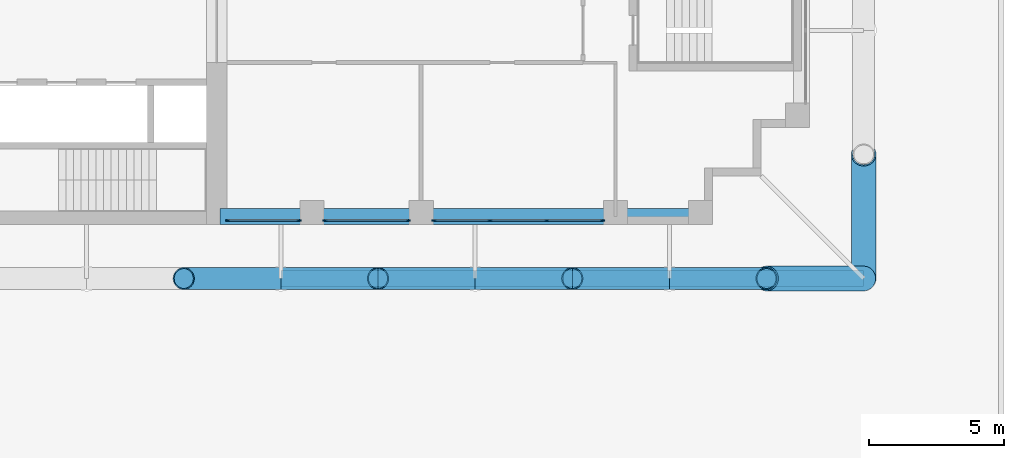
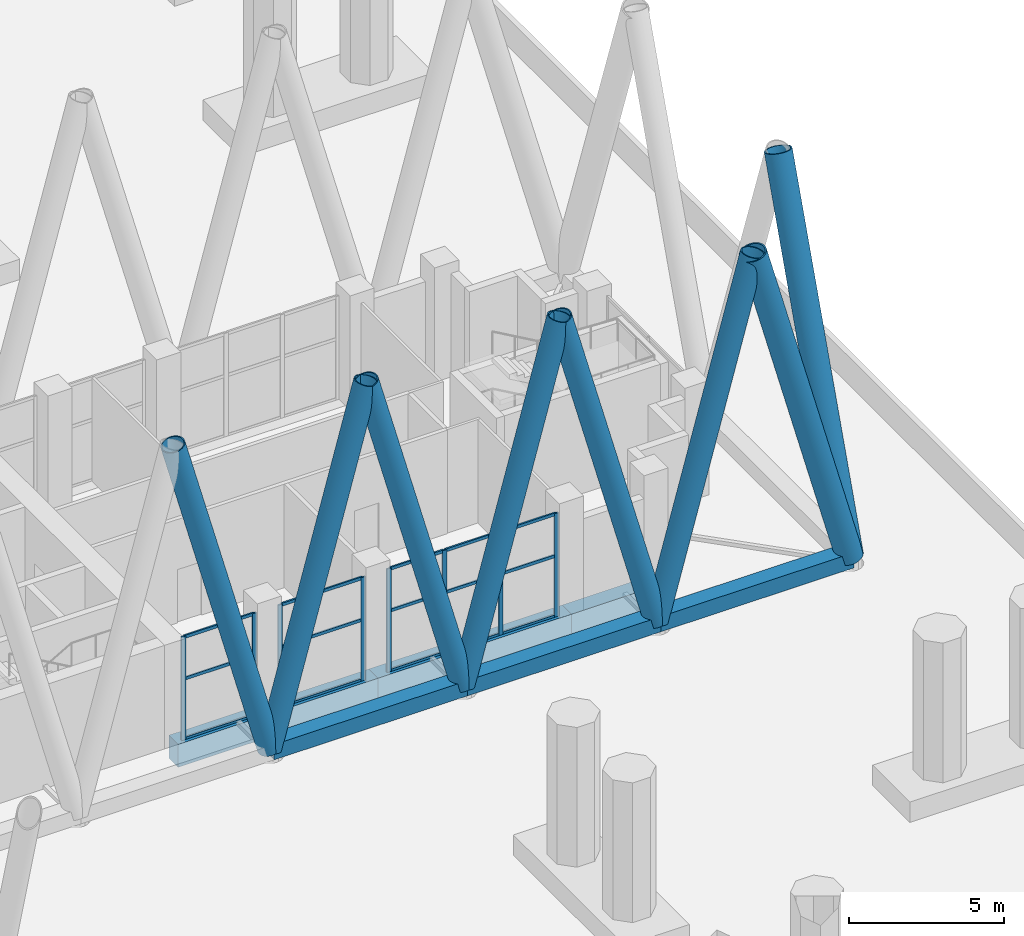
# One storey, part 8 of 31: 34 members, 4 beams, 3 elements without a shape of their own.
"""IFC4 building model written with IfcOpenShell, lengths in metres."""

from ifc_helpers import new_model, si_unit, direction, frame, origin, origin_2d, place, context, subcontext, project, spatial, rectangle, hollow_rectangle, hollow_circle, extrude, material, material_profile, profile_set, type_object, element, aggregate, save


model = new_model("IFC4")

# Units and contexts
model_context = context("Model", 3, precision=1e-05, world=origin(), true_north=direction((0.0, 1.0)))
body_context = subcontext(model_context, "Body", "Model", "MODEL_VIEW")
ifc_project = project(units=[si_unit("LENGTHUNIT", "METRE"), si_unit("AREAUNIT", "SQUARE_METRE"), si_unit("VOLUMEUNIT", "CUBIC_METRE"), si_unit("PLANEANGLEUNIT", "RADIAN"), si_unit("MASSUNIT", "GRAM", prefix="KILO")], contexts=[model_context])

# Site, building, storey
site_placement = place(None, origin())
site = spatial("IfcSite", under=ifc_project, at=site_placement, CompositionType="ELEMENT")
building_placement = place(site_placement, origin())
building = spatial("IfcBuilding", under=site, at=building_placement, Name="Fustian Cross Tower", CompositionType="ELEMENT")
storey_placement = place(building_placement, frame((0.0, 0.0, 7.199951171875)))
storey = spatial("IfcBuildingStorey", under=building, at=storey_placement, Name="L01", CompositionType="ELEMENT", Elevation=7.199951171875)

# Curtain wall, members
ifc_material_1 = material(Name="Glass", Category="glass")
curtain_wall_type = type_object("IfcCurtainWallType", Name="CW4 CURTAIN WALL", PredefinedType="NOTDEFINED", material=ifc_material_1)
curtain_wall_1_placement = place(storey_placement, origin())
curtain_wall_1 = element("IfcCurtainWall", 1, at=curtain_wall_1_placement, inside=storey, type_object=curtain_wall_type, Name="Curtain wall CW4", PredefinedType="NOTDEFINED")
ifc_material_2 = material(Name="Aluminium alloy 6063", Category="aluminium")
ifc_material_profile_1 = material_profile(ifc_material_2, rectangle(XDim=0.06005859375, YDim=0.159912109375, at=origin_2d()), Name="CW4 MULLION 60x160")
ifc_profile_set_1 = profile_set([ifc_material_profile_1], Name="Aluminium alloy 6063")
member_type_1 = type_object("IfcMemberType", Name="CW4 MULLION 60x160", PredefinedType="MULLION", material=ifc_profile_set_1)
member_1_placement = place(storey_placement, frame((21.6298828125, -7.050048828125, 0.0), z_axis=(0.0, 0.0, 1.0), x_axis=(0.0, 1.0, 0.0)))
member_1 = element("IfcMember", 2, at=member_1_placement, type_object=member_type_1, Name="CW4 mullion 1", PredefinedType="MULLION", context=body_context, shape_type="SweptSolid", body=[
    extrude(rectangle(XDim=0.06005859375, YDim=0.159912109375, at=origin_2d()), origin(), (0.0, 0.0, 1.0), 4.074951171875),
])
member_2_placement = place(storey_placement, frame((24.27001953125, -7.050048828125, 0.0), z_axis=(0.0, 0.0, 1.0), x_axis=(0.0, 1.0, 0.0)))
member_2 = element("IfcMember", 3, at=member_2_placement, type_object=member_type_1, Name="CW4 mullion 2", PredefinedType="MULLION", context=body_context, shape_type="SweptSolid", body=[
    extrude(rectangle(XDim=0.06005859375, YDim=0.159912109375, at=origin_2d()), origin(), (0.0, 0.0, 1.0), 4.074951171875),
])

curtain_wall_2_placement = place(storey_placement, origin())
curtain_wall_2 = element("IfcCurtainWall", 4, at=curtain_wall_2_placement, inside=storey, type_object=curtain_wall_type, Name="Curtain wall CW4", PredefinedType="NOTDEFINED")
member_3_placement = place(storey_placement, frame((25.22998046875, -7.050048828125, 0.0), z_axis=(0.0, 0.0, 1.0), x_axis=(0.0, 1.0, 0.0)))
member_3 = element("IfcMember", 5, at=member_3_placement, type_object=member_type_1, Name="CW4 mullion 1", PredefinedType="MULLION", context=body_context, shape_type="SweptSolid", body=[
    extrude(rectangle(XDim=0.06005859375, YDim=0.159912109375, at=origin_2d()), origin(), (0.0, 0.0, 1.0), 4.074951171875),
])
member_4_placement = place(storey_placement, frame((28.320068359375, -7.050048828125, 0.0), z_axis=(0.0, 0.0, 1.0), x_axis=(0.0, 1.0, 0.0)))
member_4 = element("IfcMember", 6, at=member_4_placement, type_object=member_type_1, Name="CW4 mullion 2", PredefinedType="MULLION", context=body_context, shape_type="SweptSolid", body=[
    extrude(rectangle(XDim=0.06005859375, YDim=0.159912109375, at=origin_2d()), origin(), (0.0, 0.0, 1.0), 4.074951171875),
])

curtain_wall_3_placement = place(storey_placement, origin())
curtain_wall_3 = element("IfcCurtainWall", 7, at=curtain_wall_3_placement, inside=storey, type_object=curtain_wall_type, Name="Curtain wall CW4", PredefinedType="NOTDEFINED")
member_5_placement = place(storey_placement, frame((29.280029296875, -7.050048828125, 0.0), z_axis=(0.0, 0.0, 1.0), x_axis=(0.0, 1.0, 0.0)))
member_5 = element("IfcMember", 8, at=member_5_placement, type_object=member_type_1, Name="CW4 mullion 1", PredefinedType="MULLION", context=body_context, shape_type="SweptSolid", body=[
    extrude(rectangle(XDim=0.06005859375, YDim=0.159912109375, at=origin_2d()), origin(), (0.0, 0.0, 1.0), 4.074951171875),
])
member_6_placement = place(storey_placement, frame((31.35009765625, -7.050048828125, 0.0), z_axis=(0.0, 0.0, 1.0), x_axis=(0.0, 1.0, 0.0)))
member_6 = element("IfcMember", 9, at=member_6_placement, type_object=member_type_1, Name="CW4 mullion 2", PredefinedType="MULLION", context=body_context, shape_type="SweptSolid", body=[
    extrude(rectangle(XDim=0.06005859375, YDim=0.159912109375, at=origin_2d()), origin(), (0.0, 0.0, 1.0), 4.074951171875),
])
member_7_placement = place(storey_placement, frame((33.449951171875, -7.050048828125, 0.0), z_axis=(0.0, 0.0, 1.0), x_axis=(0.0, 1.0, 0.0)))
member_7 = element("IfcMember", 10, at=member_7_placement, type_object=member_type_1, Name="CW4 mullion 3", PredefinedType="MULLION", context=body_context, shape_type="SweptSolid", body=[
    extrude(rectangle(XDim=0.06005859375, YDim=0.159912109375, at=origin_2d()), origin(), (0.0, 0.0, 1.0), 4.074951171875),
])
member_8_placement = place(storey_placement, frame((35.52001953125, -7.050048828125, 0.0), z_axis=(0.0, 0.0, 1.0), x_axis=(0.0, 1.0, 0.0)))
member_8 = element("IfcMember", 11, at=member_8_placement, type_object=member_type_1, Name="CW4 mullion 4", PredefinedType="MULLION", context=body_context, shape_type="SweptSolid", body=[
    extrude(rectangle(XDim=0.06005859375, YDim=0.159912109375, at=origin_2d()), origin(), (0.0, 0.0, 1.0), 4.074951171875),
])

# Member
ifc_material_3 = material(Name="Aluminium alloy 6063", Category="aluminium")
ifc_material_profile_2 = material_profile(ifc_material_3, rectangle(XDim=0.06005859375, YDim=0.1201171875, at=origin_2d()), Name="CW4 TRANSOM 60x120")
ifc_profile_set_2 = profile_set([ifc_material_profile_2], Name="Aluminium alloy 6063")
member_type_2 = type_object("IfcMemberType", Name="CW4 TRANSOM 60x120", PredefinedType="USERDEFINED", material=ifc_profile_set_2)
member_9_placement = place(storey_placement, frame((21.659912109375, -7.050048828125, 0.030029296875), z_axis=(1.0, 0.0, 0.0), x_axis=(0.0, 1.0, 0.0)))
member_9 = element("IfcMember", 12, at=member_9_placement, type_object=member_type_2, Name="CW4 transom 1.1", ObjectType="TRANSOM", PredefinedType="USERDEFINED", context=body_context, shape_type="SweptSolid", body=[
    extrude(rectangle(XDim=0.06005859375, YDim=0.1201171875, at=origin_2d()), origin(), (0.0, 0.0, 1.0), 2.580078125),
])

member_10_placement = place(storey_placement, frame((21.659912109375, -7.050048828125, 2.400146484375), z_axis=(1.0, 0.0, 0.0), x_axis=(0.0, 1.0, 0.0)))
member_10 = element("IfcMember", 13, at=member_10_placement, type_object=member_type_2, Name="CW4 transom 1.2", ObjectType="TRANSOM", PredefinedType="USERDEFINED", context=body_context, shape_type="SweptSolid", body=[
    extrude(rectangle(XDim=0.06005859375, YDim=0.1201171875, at=origin_2d()), origin(), (0.0, 0.0, 1.0), 2.580078125),
])

member_11_placement = place(storey_placement, frame((21.659912109375, -7.050048828125, 4.045166015625), z_axis=(1.0, 0.0, 0.0), x_axis=(0.0, 1.0, 0.0)))
member_11 = element("IfcMember", 14, at=member_11_placement, type_object=member_type_2, Name="CW4 transom 1.3", ObjectType="TRANSOM", PredefinedType="USERDEFINED", context=body_context, shape_type="SweptSolid", body=[
    extrude(rectangle(XDim=0.06005859375, YDim=0.1201171875, at=origin_2d()), origin(), (0.0, 0.0, 1.0), 2.580078125),
])

aggregate(curtain_wall_1, [member_1, member_2, member_9, member_10, member_11])

member_12_placement = place(storey_placement, frame((25.260009765625, -7.050048828125, 0.030029296875), z_axis=(1.0, 0.0, 0.0), x_axis=(0.0, 1.0, 0.0)))
member_12 = element("IfcMember", 15, at=member_12_placement, type_object=member_type_2, Name="CW4 transom 1.1", ObjectType="TRANSOM", PredefinedType="USERDEFINED", context=body_context, shape_type="SweptSolid", body=[
    extrude(rectangle(XDim=0.06005859375, YDim=0.1201171875, at=origin_2d()), origin(), (0.0, 0.0, 1.0), 3.030029296875),
])

member_13_placement = place(storey_placement, frame((25.260009765625, -7.050048828125, 2.400146484375), z_axis=(1.0, 0.0, 0.0), x_axis=(0.0, 1.0, 0.0)))
member_13 = element("IfcMember", 16, at=member_13_placement, type_object=member_type_2, Name="CW4 transom 1.2", ObjectType="TRANSOM", PredefinedType="USERDEFINED", context=body_context, shape_type="SweptSolid", body=[
    extrude(rectangle(XDim=0.06005859375, YDim=0.1201171875, at=origin_2d()), origin(), (0.0, 0.0, 1.0), 3.030029296875),
])

member_14_placement = place(storey_placement, frame((25.260009765625, -7.050048828125, 4.045166015625), z_axis=(1.0, 0.0, 0.0), x_axis=(0.0, 1.0, 0.0)))
member_14 = element("IfcMember", 17, at=member_14_placement, type_object=member_type_2, Name="CW4 transom 1.3", ObjectType="TRANSOM", PredefinedType="USERDEFINED", context=body_context, shape_type="SweptSolid", body=[
    extrude(rectangle(XDim=0.06005859375, YDim=0.1201171875, at=origin_2d()), origin(), (0.0, 0.0, 1.0), 3.030029296875),
])

aggregate(curtain_wall_2, [member_3, member_4, member_12, member_13, member_14])

member_15_placement = place(storey_placement, frame((29.31005859375, -7.050048828125, 0.030029296875), z_axis=(1.0, 0.0, 0.0), x_axis=(0.0, 1.0, 0.0)))
member_15 = element("IfcMember", 18, at=member_15_placement, type_object=member_type_2, Name="CW4 transom 1.1", ObjectType="TRANSOM", PredefinedType="USERDEFINED", context=body_context, shape_type="SweptSolid", body=[
    extrude(rectangle(XDim=0.06005859375, YDim=0.1201171875, at=origin_2d()), origin(), (0.0, 0.0, 1.0), 2.010009765625),
])

member_16_placement = place(storey_placement, frame((29.31005859375, -7.050048828125, 2.400146484375), z_axis=(1.0, 0.0, 0.0), x_axis=(0.0, 1.0, 0.0)))
member_16 = element("IfcMember", 19, at=member_16_placement, type_object=member_type_2, Name="CW4 transom 1.2", ObjectType="TRANSOM", PredefinedType="USERDEFINED", context=body_context, shape_type="SweptSolid", body=[
    extrude(rectangle(XDim=0.06005859375, YDim=0.1201171875, at=origin_2d()), origin(), (0.0, 0.0, 1.0), 2.010009765625),
])

member_17_placement = place(storey_placement, frame((29.31005859375, -7.050048828125, 4.045166015625), z_axis=(1.0, 0.0, 0.0), x_axis=(0.0, 1.0, 0.0)))
member_17 = element("IfcMember", 20, at=member_17_placement, type_object=member_type_2, Name="CW4 transom 1.3", ObjectType="TRANSOM", PredefinedType="USERDEFINED", context=body_context, shape_type="SweptSolid", body=[
    extrude(rectangle(XDim=0.06005859375, YDim=0.1201171875, at=origin_2d()), origin(), (0.0, 0.0, 1.0), 2.010009765625),
])

member_18_placement = place(storey_placement, frame((31.3798828125, -7.050048828125, 0.030029296875), z_axis=(1.0, 0.0, 0.0), x_axis=(0.0, 1.0, 0.0)))
member_18 = element("IfcMember", 21, at=member_18_placement, type_object=member_type_2, Name="CW4 transom 2.1", ObjectType="TRANSOM", PredefinedType="USERDEFINED", context=body_context, shape_type="SweptSolid", body=[
    extrude(rectangle(XDim=0.06005859375, YDim=0.1201171875, at=origin_2d()), origin(), (0.0, 0.0, 1.0), 2.0400390625),
])

member_19_placement = place(storey_placement, frame((31.3798828125, -7.050048828125, 2.400146484375), z_axis=(1.0, 0.0, 0.0), x_axis=(0.0, 1.0, 0.0)))
member_19 = element("IfcMember", 22, at=member_19_placement, type_object=member_type_2, Name="CW4 transom 2.2", ObjectType="TRANSOM", PredefinedType="USERDEFINED", context=body_context, shape_type="SweptSolid", body=[
    extrude(rectangle(XDim=0.06005859375, YDim=0.1201171875, at=origin_2d()), origin(), (0.0, 0.0, 1.0), 2.0400390625),
])

member_20_placement = place(storey_placement, frame((31.3798828125, -7.050048828125, 4.045166015625), z_axis=(1.0, 0.0, 0.0), x_axis=(0.0, 1.0, 0.0)))
member_20 = element("IfcMember", 23, at=member_20_placement, type_object=member_type_2, Name="CW4 transom 2.3", ObjectType="TRANSOM", PredefinedType="USERDEFINED", context=body_context, shape_type="SweptSolid", body=[
    extrude(rectangle(XDim=0.06005859375, YDim=0.1201171875, at=origin_2d()), origin(), (0.0, 0.0, 1.0), 2.0400390625),
])

member_21_placement = place(storey_placement, frame((33.47998046875, -7.050048828125, 0.030029296875), z_axis=(1.0, 0.0, 0.0), x_axis=(0.0, 1.0, 0.0)))
member_21 = element("IfcMember", 24, at=member_21_placement, type_object=member_type_2, Name="CW4 transom 3.1", ObjectType="TRANSOM", PredefinedType="USERDEFINED", context=body_context, shape_type="SweptSolid", body=[
    extrude(rectangle(XDim=0.06005859375, YDim=0.1201171875, at=origin_2d()), origin(), (0.0, 0.0, 1.0), 2.010009765625),
])

member_22_placement = place(storey_placement, frame((33.47998046875, -7.050048828125, 2.400146484375), z_axis=(1.0, 0.0, 0.0), x_axis=(0.0, 1.0, 0.0)))
member_22 = element("IfcMember", 25, at=member_22_placement, type_object=member_type_2, Name="CW4 transom 3.2", ObjectType="TRANSOM", PredefinedType="USERDEFINED", context=body_context, shape_type="SweptSolid", body=[
    extrude(rectangle(XDim=0.06005859375, YDim=0.1201171875, at=origin_2d()), origin(), (0.0, 0.0, 1.0), 2.010009765625),
])

member_23_placement = place(storey_placement, frame((33.47998046875, -7.050048828125, 4.045166015625), z_axis=(1.0, 0.0, 0.0), x_axis=(0.0, 1.0, 0.0)))
member_23 = element("IfcMember", 26, at=member_23_placement, type_object=member_type_2, Name="CW4 transom 3.3", ObjectType="TRANSOM", PredefinedType="USERDEFINED", context=body_context, shape_type="SweptSolid", body=[
    extrude(rectangle(XDim=0.06005859375, YDim=0.1201171875, at=origin_2d()), origin(), (0.0, 0.0, 1.0), 2.010009765625),
])

aggregate(curtain_wall_3, [member_5, member_6, member_7, member_8, member_15, member_16, member_17, member_18, member_19, member_20, member_21, member_22, member_23])

# Members
ifc_material_4 = material(Name="Steel S355", Category="steel")
ifc_material_profile_3 = material_profile(ifc_material_4, hollow_circle(Radius=0.406494140625, WallThickness=0.0400390625, at=origin_2d()), Name="CHS 813x40")
ifc_profile_set_3 = profile_set([ifc_material_profile_3], Name="Steel S355")
member_type_3 = type_object("IfcMemberType", Name="DIAGRID DIAGONAL CHS 813x40", PredefinedType="BRACE", material=ifc_profile_set_3)
for number, where, z_axis, x_axis, name in (
    (27, (23.60009765625, -9.199951171875, 0.300048828125), (-0.263124955092, 0.0, 0.964761762306), (0.0, -1.0, 0.0), "Diagrid diagonal E-S 04"),
    (28, (23.60009765625, -9.199951171875, 0.300048828125), (0.263108346568, 0.0, 0.964766291889), (0.0, 1.0, 0.0), "Diagrid diagonal E-S 05"),
    (29, (30.800048828125, -9.199951171875, 0.300048828125), (-0.263124955092, 0.0, 0.964761762306), (0.0, -1.0, 0.0), "Diagrid diagonal E-S 06"),
    (30, (30.800048828125, -9.199951171875, 0.300048828125), (0.263108346568, 0.0, 0.964766291889), (0.0, 1.0, 0.0), "Diagrid diagonal E-S 07"),
    (31, (38.0, -9.199951171875, 0.300048828125), (-0.263124955092, 0.0, 0.964761762306), (0.0, -1.0, 0.0), "Diagrid diagonal E-S 08"),
    (32, (38.0, -9.199951171875, 0.300048828125), (0.263124955092, 0.0, 0.964761762306), (0.0, 1.0, 0.0), "Diagrid diagonal E-S 09"),
):
    element("IfcMember", number, at=place(storey_placement, frame(where, z_axis=z_axis, x_axis=x_axis)), inside=storey, type_object=member_type_3, Name=name, PredefinedType="BRACE", context=body_context, shape_type="SweptSolid", body=[
        extrude(hollow_circle(Radius=0.406494140625, WallThickness=0.0400390625, at=origin_2d()), origin(), (0.0, 0.0, 1.0), 13.68212890625),
    ])
ifc_material_5 = material(Name="Steel S355", Category="steel")
ifc_material_profile_4 = material_profile(ifc_material_5, hollow_circle(Radius=0.457275390625, WallThickness=0.050048828125, at=origin_2d()), Name="CHS 914x50")
ifc_profile_set_4 = profile_set([ifc_material_profile_4], Name="Steel S355")
member_type_4 = type_object("IfcMemberType", Name="DIAGRID DIAGONAL CHS 914x50", PredefinedType="BRACE", material=ifc_profile_set_4)
member_24_placement = place(storey_placement, frame((45.199951171875, -9.199951171875, 0.300048828125), z_axis=(-0.263108346568, 0.0, 0.964766291889), x_axis=(0.0, -1.0, 0.0)))
element("IfcMember", 33, at=member_24_placement, inside=storey, type_object=member_type_4, Name="Diagrid diagonal E-S 10", PredefinedType="BRACE", context=body_context, shape_type="SweptSolid", body=[
    extrude(hollow_circle(Radius=0.457275390625, WallThickness=0.050048828125, at=origin_2d()), origin(), (0.0, 0.0, 1.0), 13.68212890625),
])
member_25_placement = place(storey_placement, frame((45.199951171875, -9.199951171875, 0.300048828125), z_axis=(0.0, 0.329067242605, 0.944306491476), x_axis=(-1.0, 0.0, 0.0)))
element("IfcMember", 34, at=member_25_placement, inside=storey, type_object=member_type_4, Name="Diagrid diagonal E-end 01", PredefinedType="BRACE", context=body_context, shape_type="SweptSolid", body=[
    extrude(hollow_circle(Radius=0.457275390625, WallThickness=0.050048828125, at=origin_2d()), origin(), (0.0, 0.0, 1.0), 13.978515625),
])
ifc_material_6 = material(Name="Steel S355", Category="steel")
ifc_material_profile_5 = material_profile(ifc_material_6, hollow_rectangle(XDim=0.60009765625, YDim=0.60009765625, WallThickness=0.030029296875, at=origin_2d()), Name="RHS 600x600x30")
ifc_profile_set_5 = profile_set([ifc_material_profile_5], Name="Steel S355")
member_type_5 = type_object("IfcMemberType", Name="DIAGRID RING RHS 600x600x30", PredefinedType="MEMBER", material=ifc_profile_set_5)
for number, where, z_axis, x_axis, name in (
    (35, (23.60009765625, -9.199951171875, 0.300048828125), (1.0, 0.0, 0.0), (0.0, 1.0, 0.0), "Diagrid ring L01-46 L01-47"),
    (36, (30.800048828125, -9.199951171875, 0.300048828125), (1.0, 0.0, 0.0), (0.0, 1.0, 0.0), "Diagrid ring L01-47 L01-48"),
    (37, (38.0, -9.199951171875, 0.300048828125), (1.0, 0.0, 0.0), (0.0, 1.0, 0.0), "Diagrid ring L01-48 L01-49"),
):
    element("IfcMember", number, at=place(storey_placement, frame(where, z_axis=z_axis, x_axis=x_axis)), inside=storey, type_object=member_type_5, Name=name, PredefinedType="MEMBER", context=body_context, shape_type="SweptSolid", body=[
        extrude(hollow_rectangle(XDim=0.60009765625, YDim=0.60009765625, WallThickness=0.030029296875, at=origin_2d()), origin(), (0.0, 0.0, 1.0), 7.199951171875),
    ])

# Beams
ifc_material_7 = material(Name="Concrete C50/60", Category="concrete")
ifc_material_profile_6 = material_profile(ifc_material_7, rectangle(XDim=0.60009765625, YDim=0.89990234375, at=origin_2d()), Name="RC 600x900")
ifc_profile_set_6 = profile_set([ifc_material_profile_6], Name="Concrete C50/60")
beam_type = type_object("IfcBeamType", Name="EDGE BEAM RC 600x900 C50/60", PredefinedType="SPANDREL", material=ifc_profile_set_6)
beam_1_placement = place(storey_placement, frame((21.35009765625, -6.89990234375, -0.449951171875), z_axis=(1.0, 0.0, 0.0), x_axis=(0.0, 1.0, 0.0)))
element("IfcBeam", 38, at=beam_1_placement, inside=storey, type_object=beam_type, Name="EDGE BEAM L01-01", PredefinedType="SPANDREL", context=body_context, shape_type="SweptSolid", body=[
    extrude(rectangle(XDim=0.60009765625, YDim=0.89990234375, at=origin_2d()), origin(), (0.0, 0.0, 1.0), 3.39990234375),
])
beam_2_placement = place(storey_placement, frame((24.75, -6.89990234375, -0.449951171875), z_axis=(1.0, 0.0, 0.0), x_axis=(0.0, 1.0, 0.0)))
element("IfcBeam", 39, at=beam_2_placement, inside=storey, type_object=beam_type, Name="EDGE BEAM L01-02", PredefinedType="SPANDREL", context=body_context, shape_type="SweptSolid", body=[
    extrude(rectangle(XDim=0.60009765625, YDim=0.89990234375, at=origin_2d()), origin(), (0.0, 0.0, 1.0), 4.050048828125),
])
beam_3_placement = place(storey_placement, frame((28.800048828125, -6.89990234375, -0.449951171875), z_axis=(1.0, 0.0, 0.0), x_axis=(0.0, 1.0, 0.0)))
element("IfcBeam", 40, at=beam_3_placement, inside=storey, type_object=beam_type, Name="EDGE BEAM L01-03", PredefinedType="SPANDREL", context=body_context, shape_type="SweptSolid", body=[
    extrude(rectangle(XDim=0.60009765625, YDim=0.89990234375, at=origin_2d()), origin(), (0.0, 0.0, 1.0), 7.199951171875),
])
beam_4_placement = place(storey_placement, frame((36.0, -6.89990234375, -0.449951171875), z_axis=(1.0, 0.0, 0.0), x_axis=(0.0, 1.0, 0.0)))
element("IfcBeam", 41, at=beam_4_placement, inside=storey, type_object=beam_type, Name="EDGE BEAM L01-04", PredefinedType="SPANDREL", context=body_context, shape_type="SweptSolid", body=[
    extrude(rectangle(XDim=0.60009765625, YDim=0.89990234375, at=origin_2d()), origin(), (0.0, 0.0, 1.0), 3.14990234375),
])

save(model, "model.ifc")
